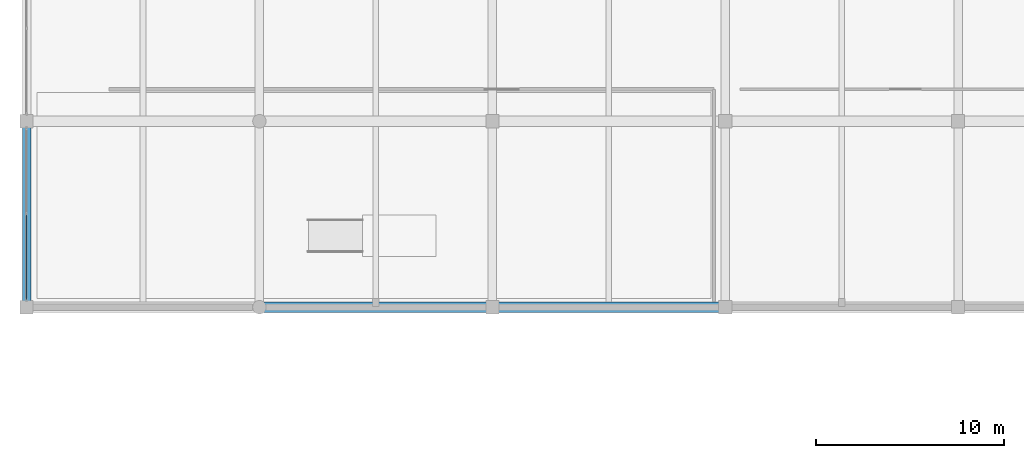
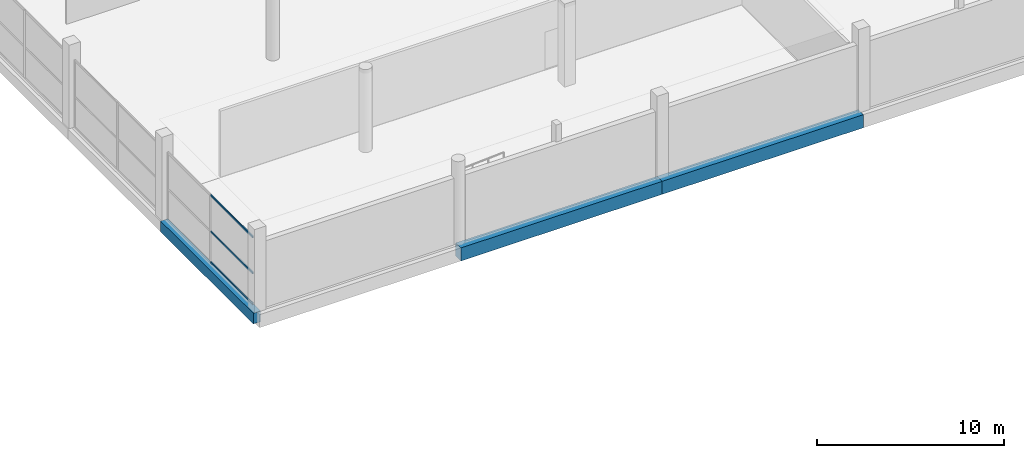
# One storey, part 15 of 74: 3 beams, 3 members, 1 element without a shape of its own.
"""IFC4 building model written with IfcOpenShell, lengths in metres."""

import ifcopenshell
import ifcopenshell.guid

model = None  # the IFC model being written
_history = None  # IfcOwnerHistory: only IFC2X3 demands one
_inside = {}  # id of a spatial element -> (the spatial element, [elements in it])
_under = {}  # id of a project, library or spatial element -> (it, [spatial elements below it])
_declared = {}  # id of a project -> (the project, [libraries it declares])
_typed = {}  # id of a type object -> (the type object, [elements of that type])
_made_of = {}  # id of a material, layer set ... -> (it, [elements and type objects made of it])


def new_model(schema):
    """Start an empty IFC model of exactly this schema.

    Asked for "IFC4X3", IfcOpenShell would pick the latest addendum, in which some entities
    have other attributes; the version numbers below select the first issue.
    IFC2X3 requires an IfcOwnerHistory on every rooted entity: one is made here for all.
    """
    global model, _history
    if schema == "IFC4X3":
        model = ifcopenshell.file(schema_version=(4, 3, 0, 0))
    else:
        model = ifcopenshell.file(schema=schema)
    _inside.clear()
    _under.clear()
    _declared.clear()
    _typed.clear()
    _made_of.clear()
    _history = None
    if model.schema == "IFC2X3":
        org = make("IfcOrganization", Name="unknown")
        user = make(
            "IfcPersonAndOrganization",
            ThePerson=make("IfcPerson", FamilyName="unknown"),
            TheOrganization=org,
        )
        app = make(
            "IfcApplication",
            ApplicationDeveloper=org,
            Version="unknown",
            ApplicationFullName="unknown",
            ApplicationIdentifier="unknown",
        )
        _history = make(
            "IfcOwnerHistory",
            OwningUser=user,
            OwningApplication=app,
            ChangeAction="ADDED",
            CreationDate=0,
        )
    return model


def make(cls, **values):
    """One entity of the class cls with the attributes given. An attribute that is None is left unset."""
    return model.create_entity(
        cls, **{name: value for name, value in values.items() if value is not None}
    )


def rooted(cls, **values):
    """An entity with a GlobalId (a new one), such as an element, a storey or a relation."""
    return make(cls, GlobalId=ifcopenshell.guid.new(), OwnerHistory=_history, **values)


def si_unit(unit_type, name, prefix=None):
    """IfcSIUnit, for example si_unit("LENGTHUNIT", "METRE", prefix="MILLI")."""
    return make("IfcSIUnit", UnitType=unit_type, Prefix=prefix, Name=name)


def assignment(units):
    """IfcUnitAssignment: the units of a project."""
    return None if units is None else make("IfcUnitAssignment", Units=units)


def point(xyz):
    """IfcCartesianPoint."""
    return None if xyz is None else make("IfcCartesianPoint", Coordinates=xyz)


def direction(xyz):
    """IfcDirection."""
    return None if xyz is None else make("IfcDirection", DirectionRatios=xyz)


def frame(location, z_axis=None, x_axis=None):
    """IfcAxis2Placement3D, a coordinate frame: its origin and axes. An axis left out is left unset."""
    return make(
        "IfcAxis2Placement3D",
        Location=point(location),
        Axis=direction(z_axis),
        RefDirection=direction(x_axis),
    )


def frame_2d(location, x_axis=None):
    """IfcAxis2Placement2D, a coordinate frame in the plane: its origin and x axis."""
    return make(
        "IfcAxis2Placement2D", Location=point(location), RefDirection=direction(x_axis)
    )


def origin():
    """The frame at (0, 0, 0) with its axes left unset."""
    return frame((0.0, 0.0, 0.0))


def origin_2d():
    """The frame at (0, 0) in the plane with its x axis left unset."""
    return frame_2d((0.0, 0.0))


def place(relative_to, where):
    """IfcLocalPlacement: puts the frame where relative to a parent placement (None: the world)."""
    return make(
        "IfcLocalPlacement", PlacementRelTo=relative_to, RelativePlacement=where
    )


def context(
    kind, dimensions, precision=None, world=None, true_north=None, identifier=None
):
    """IfcGeometricRepresentationContext, for example the 3D "Model" context."""
    return make(
        "IfcGeometricRepresentationContext",
        ContextIdentifier=identifier,
        ContextType=kind,
        CoordinateSpaceDimension=dimensions,
        Precision=precision,
        WorldCoordinateSystem=world,
        TrueNorth=true_north,
    )


def subcontext(parent, identifier, kind, view, scale=None):
    """IfcGeometricRepresentationSubContext, for example "Body" below "Model"."""
    return make(
        "IfcGeometricRepresentationSubContext",
        ContextIdentifier=identifier,
        ContextType=kind,
        ParentContext=parent,
        TargetScale=scale,
        TargetView=view,
    )


def project(units=None, contexts=None):
    """IfcProject with its units and contexts."""
    return rooted(
        "IfcProject",
        Name="project",
        RepresentationContexts=contexts,
        UnitsInContext=assignment(units),
    )


def spatial(cls, under=None, at=None, **own):
    """A site, building, storey or space (cls), placed at a placement, below another one or the project."""
    s = rooted(cls, ObjectPlacement=at, **own)
    if under is not None:
        _under.setdefault(under.id(), (under, []))[1].append(s)
    return s


def profile(cls, at=None, kind="AREA", **sizes):
    """A parametric profile (cls). Its sizes go by their IFC names, for example OverallWidth=200.0."""
    return make(cls, ProfileType=kind, Position=at, **sizes)


def rectangle(**sizes):
    """IfcRectangleProfileDef."""
    return profile("IfcRectangleProfileDef", **sizes)


def hollow_rectangle(**sizes):
    """IfcRectangleHollowProfileDef."""
    return profile("IfcRectangleHollowProfileDef", **sizes)


def extrude(swept, where, along, depth):
    """IfcExtrudedAreaSolid: the profile swept, set in the frame where, extruded along a direction by depth."""
    return make(
        "IfcExtrudedAreaSolid",
        SweptArea=swept,
        Position=where,
        ExtrudedDirection=direction(along),
        Depth=depth,
    )


def shape(context_of_items, identifier, shape_type, items):
    """IfcShapeRepresentation: the items that make up one representation, for example the "Body"."""
    return make(
        "IfcShapeRepresentation",
        ContextOfItems=context_of_items,
        RepresentationIdentifier=identifier,
        RepresentationType=shape_type,
        Items=items,
    )


def material(Name=None, Category=None):
    """IfcMaterial."""
    return make("IfcMaterial", Name=Name, Category=Category)


def layer(
    of_material, thickness, ventilated=None, Name=None, Category=None, Priority=None
):
    """IfcMaterialLayer: one layer of a wall or slab, of a material (None: an air gap)."""
    return make(
        "IfcMaterialLayer",
        Material=of_material,
        LayerThickness=thickness,
        IsVentilated=ventilated,
        Name=Name,
        Category=Category,
        Priority=Priority,
    )


def layer_set(layers, Name=None):
    """IfcMaterialLayerSet."""
    return make("IfcMaterialLayerSet", MaterialLayers=layers, LayerSetName=Name)


def material_profile(
    of_material, cross_section, Name=None, Category=None, Priority=None
):
    """IfcMaterialProfile: a cross section and its material."""
    return make(
        "IfcMaterialProfile",
        Name=Name,
        Material=of_material,
        Profile=cross_section,
        Priority=Priority,
        Category=Category,
    )


def profile_set(profiles, Name=None, composite=None):
    """IfcMaterialProfileSet."""
    return make(
        "IfcMaterialProfileSet",
        Name=Name,
        MaterialProfiles=profiles,
        CompositeProfile=composite,
    )


def made_of(thing, what):
    """Note that an element or type object is made of a material, layer set ...; save() writes the relation."""
    if what is not None:
        _made_of.setdefault(what.id(), (what, []))[1].append(thing)
    return thing


def type_object(cls, material=None, **own):
    """A type object (cls), such as IfcWallType, which elements share."""
    return made_of(rooted(cls, **own), material)


def element(
    cls,
    number,
    at=None,
    inside=None,
    cuts=None,
    type_object=None,
    material=None,
    context=None,
    identifier="Body",
    shape_type=None,
    held_by="IfcProductDefinitionShape",
    body=None,
    shapes=None,
    **own,
):
    """One element of the class cls, such as IfcWall. Its Tag is "e" and its number.

    at: its placement. inside: the storey or other place that contains it. cuts: it is an
    opening in that element (IfcRelVoidsElement). A single representation is given by context,
    identifier, shape_type and body (its items); several are given by shapes. held_by: the class
    of the entity that holds the representations. save() writes the other relations.
    """
    e = rooted(cls, Tag="e%d" % number, ObjectPlacement=at, **own)
    if body is not None:
        shapes = [shape(context, identifier, shape_type, body)]
    if shapes is not None:
        e.Representation = make(held_by, Representations=shapes)
    if inside is not None:
        _inside.setdefault(inside.id(), (inside, []))[1].append(e)
    if cuts is not None:
        rooted(
            "IfcRelVoidsElement", RelatingBuildingElement=cuts, RelatedOpeningElement=e
        )
    if type_object is not None:
        _typed.setdefault(type_object.id(), (type_object, []))[1].append(e)
    return made_of(e, material)


def aggregate(whole, parts):
    """IfcRelAggregates: a whole, such as a stair, and the parts it consists of."""
    return rooted("IfcRelAggregates", RelatingObject=whole, RelatedObjects=parts)


def save(model, path):
    """Write the relations noted so far, then the file.

    IfcRelAggregates (storeys below a building ...), IfcRelContainedInSpatialStructure (elements
    in a storey), IfcRelDefinesByType, IfcRelAssociatesMaterial and IfcRelDeclares: one each for
    every whole, place, type object, material and project.
    """
    for whole, parts in _under.values():
        aggregate(whole, parts)
    for where, things in _inside.values():
        rooted(
            "IfcRelContainedInSpatialStructure",
            RelatedElements=things,
            RelatingStructure=where,
        )
    for kind, things in _typed.values():
        rooted("IfcRelDefinesByType", RelatedObjects=things, RelatingType=kind)
    for what, things in _made_of.values():
        rooted("IfcRelAssociatesMaterial", RelatedObjects=things, RelatingMaterial=what)
    for by, libraries in _declared.values():
        rooted("IfcRelDeclares", RelatingContext=by, RelatedDefinitions=libraries)
    model.write(path)


model = new_model("IFC4")

# Units and contexts
model_context = context("Model", 3, precision=1e-05, world=origin(), true_north=direction((0.0, 1.0)))
body_context = subcontext(model_context, "Body", "Model", "MODEL_VIEW")
ifc_project = project(units=[si_unit("LENGTHUNIT", "METRE"), si_unit("AREAUNIT", "SQUARE_METRE"), si_unit("VOLUMEUNIT", "CUBIC_METRE"), si_unit("PLANEANGLEUNIT", "RADIAN"), si_unit("MASSUNIT", "GRAM", prefix="KILO")], contexts=[model_context])

# Site, building, storey
site_placement = place(None, origin())
site = spatial("IfcSite", under=ifc_project, at=site_placement, CompositionType="ELEMENT")
building_placement = place(site_placement, origin())
building = spatial("IfcBuilding", under=site, at=building_placement, Name="Sillaruma Civic Art Gallery", CompositionType="ELEMENT")
storey_placement = place(building_placement, frame((0.0, 0.0, 5.43994140625)))
storey = spatial("IfcBuildingStorey", under=building, at=storey_placement, Name="L01", CompositionType="ELEMENT", Elevation=5.43994140625)

# Beams
ifc_material_1 = material(Name="Concrete H40 (40 MPa)", Category="concrete")
ifc_material_profile_1 = material_profile(ifc_material_1, rectangle(XDim=0.550048828125, YDim=0.85009765625, at=origin_2d()), Name="RCB550x850")
ifc_profile_set_1 = profile_set([ifc_material_profile_1], Name="Concrete H40 (40 MPa)")
beam_type_1 = type_object("IfcBeamType", Name="BM-BEAM-RCB550x850", PredefinedType="BEAM", material=ifc_profile_set_1)
beam_1_placement = place(storey_placement, frame((12.39990234375, 79.199951171875, -0.68505859375), z_axis=(1.0, 0.0, 0.0), x_axis=(0.0, 1.0, 0.0)))
element("IfcBeam", 1, at=beam_1_placement, inside=storey, type_object=beam_type_1, Name="Beam BM-01 (L00:9:B-C)", PredefinedType="BEAM", context=body_context, shape_type="SweptSolid", body=[
    extrude(rectangle(XDim=0.550048828125, YDim=0.85009765625, at=origin_2d()), origin(), (0.0, 0.0, 1.0), 12.400146484375),
])
beam_2_placement = place(storey_placement, frame((24.800048828125, 79.199951171875, -0.68505859375), z_axis=(1.0, 0.0, 0.0), x_axis=(0.0, 1.0, 0.0)))
element("IfcBeam", 2, at=beam_2_placement, inside=storey, type_object=beam_type_1, Name="Beam BM-01 (L00:9:C-D)", PredefinedType="BEAM", context=body_context, shape_type="SweptSolid", body=[
    extrude(rectangle(XDim=0.550048828125, YDim=0.85009765625, at=origin_2d()), origin(), (0.0, 0.0, 1.0), 12.39990234375),
])
ifc_material_2 = material(Name="Concrete H35 (35 MPa)", Category="concrete")
ifc_material_profile_2 = material_profile(ifc_material_2, rectangle(XDim=0.449951171875, YDim=0.699951171875, at=origin_2d()), Name="RCB450x700")
ifc_profile_set_2 = profile_set([ifc_material_profile_2], Name="Concrete H35 (35 MPa)")
beam_type_2 = type_object("IfcBeamType", Name="BM-SPANDREL-RCB450x700", PredefinedType="SPANDREL", material=ifc_profile_set_2)
beam_3_placement = place(storey_placement, frame((0.0, 79.199951171875, -0.60986328125), z_axis=(0.0, 1.0, 0.0), x_axis=(-1.0, 0.0, 0.0)))
element("IfcBeam", 3, at=beam_3_placement, inside=storey, type_object=beam_type_2, Name="Beam BS-03 (L00:A:9-10)", PredefinedType="SPANDREL", context=body_context, shape_type="SweptSolid", body=[
    extrude(rectangle(XDim=0.449951171875, YDim=0.699951171875, at=origin_2d()), origin(), (0.0, 0.0, 1.0), 9.900146484375),
])

# Curtain wall, members
ifc_material_3 = material(Name="Thermally Broken Extruded Aluminium 6063-T6", Category="aluminium")
ifc_layer = layer(ifc_material_3, 0.159912109375, Name="Thermally Broken Extruded Aluminium 6063-T6")
ifc_layer_set = layer_set([ifc_layer], Name="Thermally Broken Extruded Aluminium 6063-T6")
curtain_wall_type = type_object("IfcCurtainWallType", Name="CW-UNI-07", PredefinedType="NOTDEFINED", material=ifc_layer_set)
curtain_wall_placement = place(storey_placement, origin())
curtain_wall = element("IfcCurtainWall", 4, at=curtain_wall_placement, inside=storey, type_object=curtain_wall_type, Name="Unitised Curtain Wall CW-07 (CW-L01-WSTR-1)", PredefinedType="NOTDEFINED")
ifc_material_profile_3 = material_profile(ifc_material_3, hollow_rectangle(XDim=0.06494140625, YDim=0.1201171875, WallThickness=0.00341796875, at=origin_2d()), Name="CWT65x120")
ifc_profile_set_3 = profile_set([ifc_material_profile_3], Name="Thermally Broken Extruded Aluminium 6063-T6")
member_type = type_object("IfcMemberType", Name="MEM-TRN-CWT65x120", PredefinedType="USERDEFINED", material=ifc_profile_set_3)
member_1_placement = place(storey_placement, frame((0.0, 79.614990234375, 0.032470703125), z_axis=(0.0, 1.0, 0.0), x_axis=(-1.0, 0.0, 0.0)))
member_1 = element("IfcMember", 5, at=member_1_placement, type_object=member_type, Name="CW-07 transom 1.1", ObjectType="TRANSOM", PredefinedType="USERDEFINED", context=body_context, shape_type="SweptSolid", body=[
    extrude(hollow_rectangle(XDim=0.06494140625, YDim=0.1201171875, WallThickness=0.00341796875, at=origin_2d()), origin(), (0.0, 0.0, 1.0), 4.50244140625),
])
member_2_placement = place(storey_placement, frame((0.0, 79.614990234375, 2.024169921875), z_axis=(0.0, 1.0, 0.0), x_axis=(-1.0, 0.0, 0.0)))
member_2 = element("IfcMember", 6, at=member_2_placement, type_object=member_type, Name="CW-07 transom 1.2", ObjectType="TRANSOM", PredefinedType="USERDEFINED", context=body_context, shape_type="SweptSolid", body=[
    extrude(hollow_rectangle(XDim=0.06494140625, YDim=0.1201171875, WallThickness=0.00341796875, at=origin_2d()), origin(), (0.0, 0.0, 1.0), 4.50244140625),
])
member_3_placement = place(storey_placement, frame((0.0, 79.614990234375, 4.36767578125), z_axis=(0.0, 1.0, 0.0), x_axis=(-1.0, 0.0, 0.0)))
member_3 = element("IfcMember", 7, at=member_3_placement, type_object=member_type, Name="CW-07 transom 1.3", ObjectType="TRANSOM", PredefinedType="USERDEFINED", context=body_context, shape_type="SweptSolid", body=[
    extrude(hollow_rectangle(XDim=0.06494140625, YDim=0.1201171875, WallThickness=0.00341796875, at=origin_2d()), origin(), (0.0, 0.0, 1.0), 4.50244140625),
])
aggregate(curtain_wall, [member_1, member_2, member_3])

save(model, "model.ifc")
